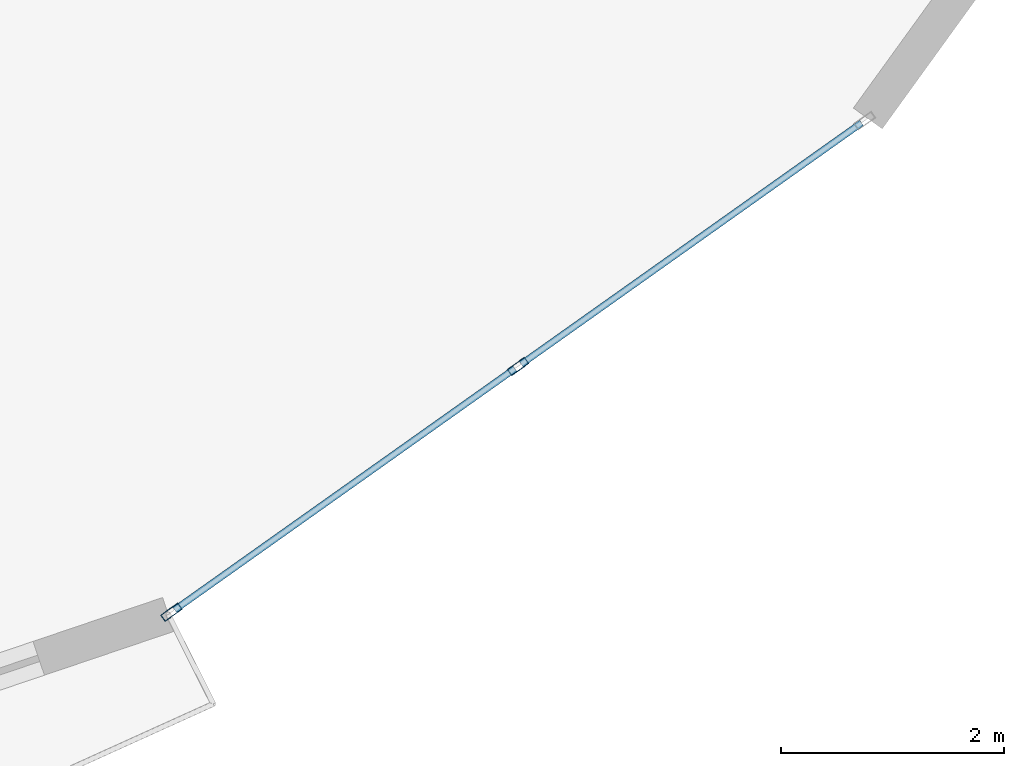
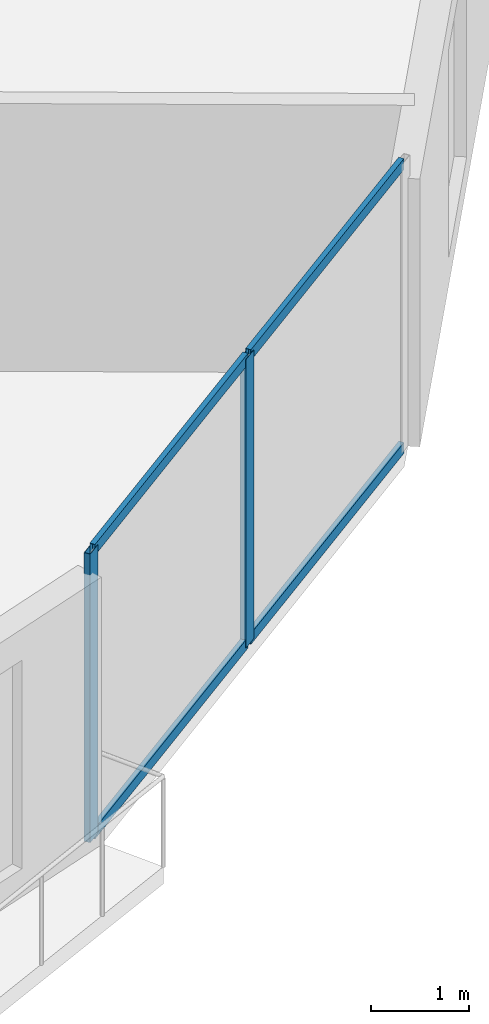
# One storey, part 8 of 26: 6 members, 1 element without a shape of its own.
"""IFC4 building model written with IfcOpenShell, lengths in metres."""

from ifc_helpers import new_model, si_unit, direction, frame, origin, origin_2d, place, context, subcontext, project, spatial, hollow_rectangle, extrude, source, transform, mapped, material, layer, layer_set, material_profile, profile_set, type_object, element, aggregate, save


model = new_model("IFC4")

# Units and contexts
model_context = context("Model", 3, precision=1e-05, world=origin(), true_north=direction((0.0, 1.0)))
body_context = subcontext(model_context, "Body", "Model", "MODEL_VIEW")
ifc_project = project(units=[si_unit("LENGTHUNIT", "METRE"), si_unit("AREAUNIT", "SQUARE_METRE"), si_unit("VOLUMEUNIT", "CUBIC_METRE"), si_unit("PLANEANGLEUNIT", "RADIAN"), si_unit("MASSUNIT", "GRAM", prefix="KILO")], contexts=[model_context])

# Site, building, storey
site_placement = place(None, origin())
site = spatial("IfcSite", under=ifc_project, at=site_placement, CompositionType="ELEMENT")
building_placement = place(site_placement, origin())
building = spatial("IfcBuilding", under=site, at=building_placement, Name="Solvirekh Grand Hotel", CompositionType="ELEMENT")
storey_placement = place(building_placement, frame((0.0, 0.0, 35.60009765625)))
storey = spatial("IfcBuildingStorey", under=building, at=storey_placement, Name="L07", CompositionType="ELEMENT", Elevation=35.60009765625)

# Curtain wall, members
ifc_material = material(Name="Anodized Bronze Aluminium 6063-T6", Category="aluminium")
ifc_layer = layer(ifc_material, 0.18994140625)
ifc_layer_set = layer_set([ifc_layer], Name="Anodized Bronze Aluminium 6063-T6")
curtain_wall_type = type_object("IfcCurtainWallType", Name="CW_Sys2_LowZoneFlushBronzeCW", PredefinedType="NOTDEFINED", material=ifc_layer_set)
curtain_wall_placement = place(storey_placement, origin())
curtain_wall = element("IfcCurtainWall", 1, at=curtain_wall_placement, inside=storey, type_object=curtain_wall_type, Name="L07 unitised bronze-glass curtain wall CW-L07-C18", PredefinedType="NOTDEFINED")
ifc_material_profile_1 = material_profile(ifc_material, hollow_rectangle(XDim=0.06005859375, YDim=0.135009765625, WallThickness=0.00390625, at=origin_2d()), Name="ALU RHS 135X60X4")
ifc_profile_set_1 = profile_set([ifc_material_profile_1], Name="Anodized Bronze Aluminium 6063-T6")
member_type_1 = type_object("IfcMemberType", Name="CWTransom_Sys2", PredefinedType="USERDEFINED", material=ifc_profile_set_1)
shared_shape_1 = source(origin(), body_context, "Body", "SweptSolid", [
    extrude(hollow_rectangle(XDim=0.06005859375, YDim=0.135009765625, WallThickness=0.00390625, at=origin_2d()), origin(), (0.0, 0.0, 1.0), 3.747314453125),
])
member_1_placement = place(storey_placement, frame((15.85009765625, -18.780517578125, 0.02978515625), z_axis=(0.815779839774, 0.57836256191, 0.0), x_axis=(-0.57836256191, 0.815779839774, 0.0)))
member_1 = element("IfcMember", 2, at=member_1_placement, type_object=member_type_1, Name="U02 transom 1.1", ObjectType="TRANSOM", PredefinedType="USERDEFINED", context=body_context, shape_type="MappedRepresentation", body=[
    mapped(shared_shape_1, transform((0.0, 0.0, 0.0), x_axis=(1.0, 0.0, 0.0), y_axis=(0.0, 1.0, 0.0), z_axis=(0.0, 0.0, 1.0), scale=1.0)),
])
member_2_placement = place(storey_placement, frame((15.85009765625, -18.780517578125, 3.56982421875), z_axis=(0.815779839774, 0.57836256191, 0.0), x_axis=(-0.57836256191, 0.815779839774, 0.0)))
member_2 = element("IfcMember", 3, at=member_2_placement, type_object=member_type_1, Name="U02 transom 1.2", ObjectType="TRANSOM", PredefinedType="USERDEFINED", context=body_context, shape_type="MappedRepresentation", body=[
    mapped(shared_shape_1, transform((0.0, 0.0, 0.0), x_axis=(1.0, 0.0, 0.0), y_axis=(0.0, 1.0, 0.0), z_axis=(0.0, 0.0, 1.0), scale=1.0)),
])
member_3_placement = place(storey_placement, frame((18.964111328125, -16.57275390625, 0.02978515625), z_axis=(0.815779839774, 0.57836256191, 0.0), x_axis=(-0.57836256191, 0.815779839774, 0.0)))
member_3 = element("IfcMember", 4, at=member_3_placement, type_object=member_type_1, Name="U02 transom 2.1", ObjectType="TRANSOM", PredefinedType="USERDEFINED", context=body_context, shape_type="MappedRepresentation", body=[
    mapped(shared_shape_1, transform((0.0, 0.0, 0.0), x_axis=(1.0, 0.0, 0.0), y_axis=(0.0, 1.0, 0.0), z_axis=(0.0, 0.0, 1.0), scale=1.0)),
])
member_4_placement = place(storey_placement, frame((18.964111328125, -16.57275390625, 3.56982421875), z_axis=(0.815779839774, 0.57836256191, 0.0), x_axis=(-0.57836256191, 0.815779839774, 0.0)))
member_4 = element("IfcMember", 5, at=member_4_placement, type_object=member_type_1, Name="U02 transom 2.2", ObjectType="TRANSOM", PredefinedType="USERDEFINED", context=body_context, shape_type="MappedRepresentation", body=[
    mapped(shared_shape_1, transform((0.0, 0.0, 0.0), x_axis=(1.0, 0.0, 0.0), y_axis=(0.0, 1.0, 0.0), z_axis=(0.0, 0.0, 1.0), scale=1.0)),
])
ifc_material_profile_2 = material_profile(ifc_material, hollow_rectangle(XDim=0.070068359375, YDim=0.18994140625, WallThickness=0.0048828125, at=origin_2d()), Name="ALU RHS 190X70X5")
ifc_profile_set_2 = profile_set([ifc_material_profile_2], Name="Anodized Bronze Aluminium 6063-T6")
member_type_2 = type_object("IfcMemberType", Name="CWMullion_Sys2", PredefinedType="MULLION", material=ifc_profile_set_2)
shared_shape_2 = source(origin(), body_context, "Body", "SweptSolid", [
    extrude(hollow_rectangle(XDim=0.070068359375, YDim=0.18994140625, WallThickness=0.0048828125, at=origin_2d()), origin(), (0.0, 0.0, 1.0), 3.599853515625),
])
member_5_placement = place(storey_placement, frame((15.821533203125, -18.80078125, 0.0), z_axis=(0.0, 0.0, 1.0), x_axis=(-0.578373813708, 0.815771862482, 0.0)))
member_5 = element("IfcMember", 6, at=member_5_placement, type_object=member_type_2, Name="U02 mullion 1", PredefinedType="MULLION", context=body_context, shape_type="MappedRepresentation", body=[
    mapped(shared_shape_2, transform((0.0, 0.0, 0.0), x_axis=(1.0, 0.0, 0.0), y_axis=(0.0, 1.0, 0.0), z_axis=(0.0, 0.0, 1.0), scale=1.0)),
])
member_6_placement = place(storey_placement, frame((18.935546875, -16.593017578125, 0.0), z_axis=(0.0, 0.0, 1.0), x_axis=(-0.578373813708, 0.815771862482, 0.0)))
member_6 = element("IfcMember", 7, at=member_6_placement, type_object=member_type_2, Name="U02 mullion 2", PredefinedType="MULLION", context=body_context, shape_type="MappedRepresentation", body=[
    mapped(shared_shape_2, transform((0.0, 0.0, 0.0), x_axis=(1.0, 0.0, 0.0), y_axis=(0.0, 1.0, 0.0), z_axis=(0.0, 0.0, 1.0), scale=1.0)),
])
aggregate(curtain_wall, [member_5, member_6, member_1, member_2, member_3, member_4])

save(model, "model.ifc")
